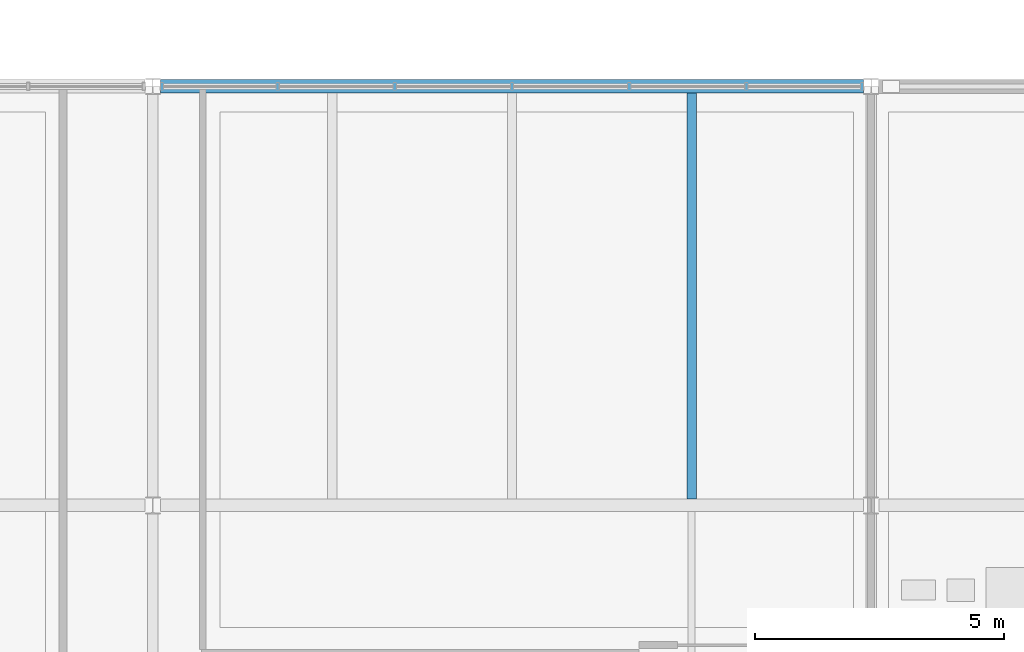
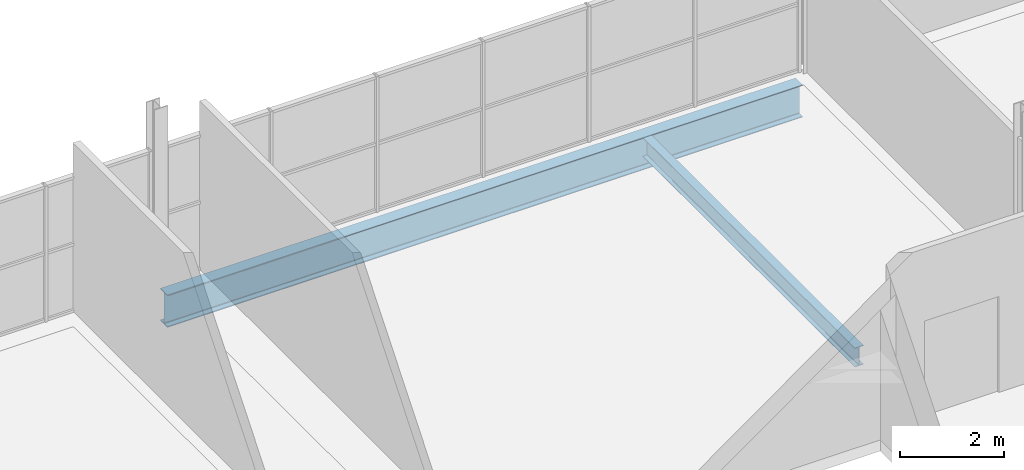
# One storey, part 62 of 93: 2 beams.
"""IFC4 building model written with IfcOpenShell, lengths in metres."""

from ifc_helpers import new_model, si_unit, direction, frame, origin, origin_2d, place, context, subcontext, project, spatial, i_section, extrude, material, material_profile, profile_set, type_object, element, save


model = new_model("IFC4")

# Units and contexts
model_context = context("Model", 3, precision=1e-05, world=origin(), true_north=direction((0.0, 1.0)))
body_context = subcontext(model_context, "Body", "Model", "MODEL_VIEW")
ifc_project = project(units=[si_unit("LENGTHUNIT", "METRE"), si_unit("AREAUNIT", "SQUARE_METRE"), si_unit("VOLUMEUNIT", "CUBIC_METRE"), si_unit("PLANEANGLEUNIT", "RADIAN"), si_unit("MASSUNIT", "GRAM", prefix="KILO"), si_unit("THERMODYNAMICTEMPERATUREUNIT", "KELVIN")], contexts=[model_context])

# Site, building, storey
site_placement = place(None, origin())
site = spatial("IfcSite", under=ifc_project, at=site_placement, CompositionType="ELEMENT")
building_placement = place(site_placement, origin())
building = spatial("IfcBuilding", under=site, at=building_placement, Name="Nduvali Passage Aquatics Centre", CompositionType="ELEMENT")
storey_placement = place(building_placement, frame((0.0, 0.0, 9.0)))
storey = spatial("IfcBuildingStorey", under=building, at=storey_placement, Name="L02", CompositionType="ELEMENT", Elevation=9.0)

# Beams
ifc_material = material(Name="Steel S355", Category="steel")
ifc_material_profile_1 = material_profile(ifc_material, i_section(OverallWidth=0.2666015625, OverallDepth=0.76220703125, WebThickness=0.014404296875, FlangeThickness=0.021484375, FilletRadius=0.0166015625, at=origin_2d()), Name="UKB 762x267x173")
ifc_profile_set_1 = profile_set([ifc_material_profile_1], Name="Steel S355")
beam_type_1 = type_object("IfcBeamType", Name="STR-BM-UKB762-EXT", PredefinedType="BEAM", material=ifc_profile_set_1)
beam_1_placement = place(storey_placement, frame((97.3544921875, 117.60009765625, -0.64501953125), z_axis=(1.0, 0.0, 0.0), x_axis=(0.0, 1.0, 0.0)))
element("IfcBeam", 1, at=beam_1_placement, inside=storey, type_object=beam_type_1, Name="L02 Primary X-Girder B4CE-0948", PredefinedType="BEAM", context=body_context, shape_type="SweptSolid", body=[
    extrude(i_section(OverallWidth=0.2666015625, OverallDepth=0.76220703125, WebThickness=0.014404296875, FlangeThickness=0.021484375, FilletRadius=0.0166015625, at=origin_2d()), origin(), (0.0, 0.0, 1.0), 14.0908203125),
])
ifc_material_profile_2 = material_profile(ifc_material, i_section(OverallWidth=0.18994140625, OverallDepth=0.449951171875, WebThickness=0.009521484375, FlangeThickness=0.0146484375, FilletRadius=0.02099609375, at=origin_2d()), Name="IPE 450")
ifc_profile_set_2 = profile_set([ifc_material_profile_2], Name="Steel S355")
beam_type_2 = type_object("IfcBeamType", Name="STR-JST-IPE450", PredefinedType="JOIST", material=ifc_profile_set_2)
beam_2_placement = place(storey_placement, frame((108.0, 109.326904296875, -0.489013671875), z_axis=(0.0, 1.0, 0.0), x_axis=(-1.0, 0.0, 0.0)))
element("IfcBeam", 2, at=beam_2_placement, inside=storey, type_object=beam_type_2, Name="L02 Secondary Joist J5B-1197", PredefinedType="JOIST", context=body_context, shape_type="SweptSolid", body=[
    extrude(i_section(OverallWidth=0.18994140625, OverallDepth=0.449951171875, WebThickness=0.009521484375, FlangeThickness=0.0146484375, FilletRadius=0.02099609375, at=origin_2d()), origin(), (0.0, 0.0, 1.0), 8.139892578125),
])

save(model, "model.ifc")
